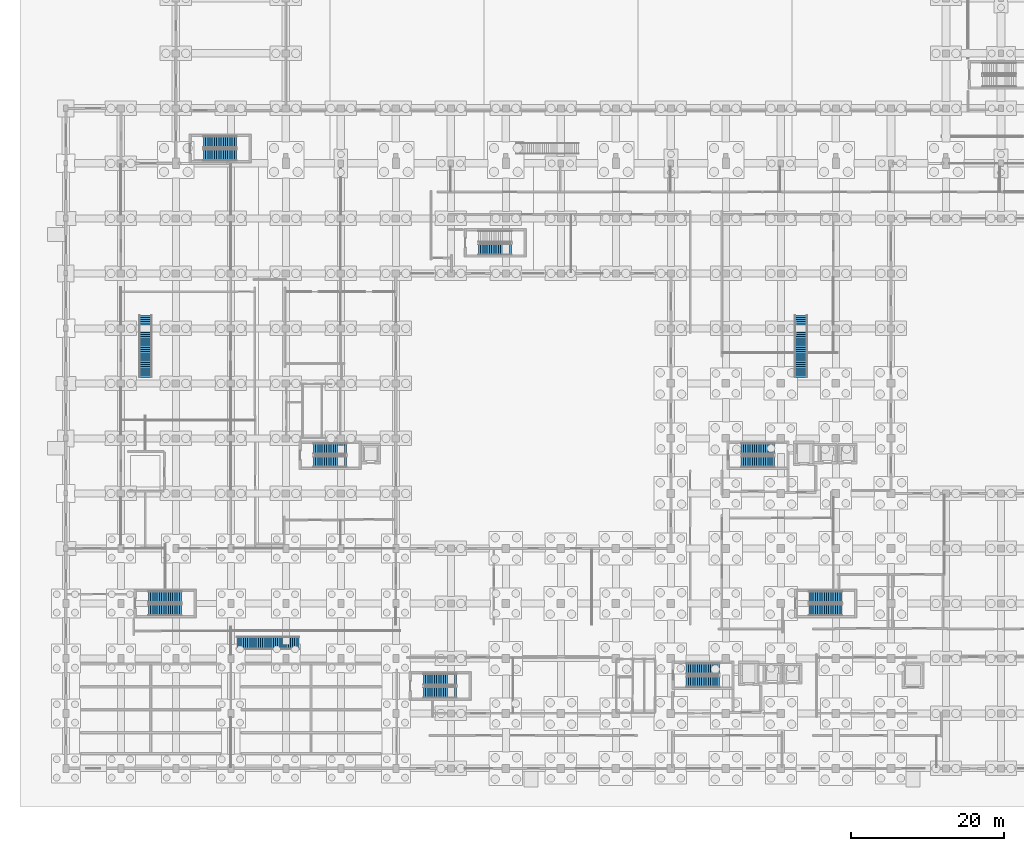
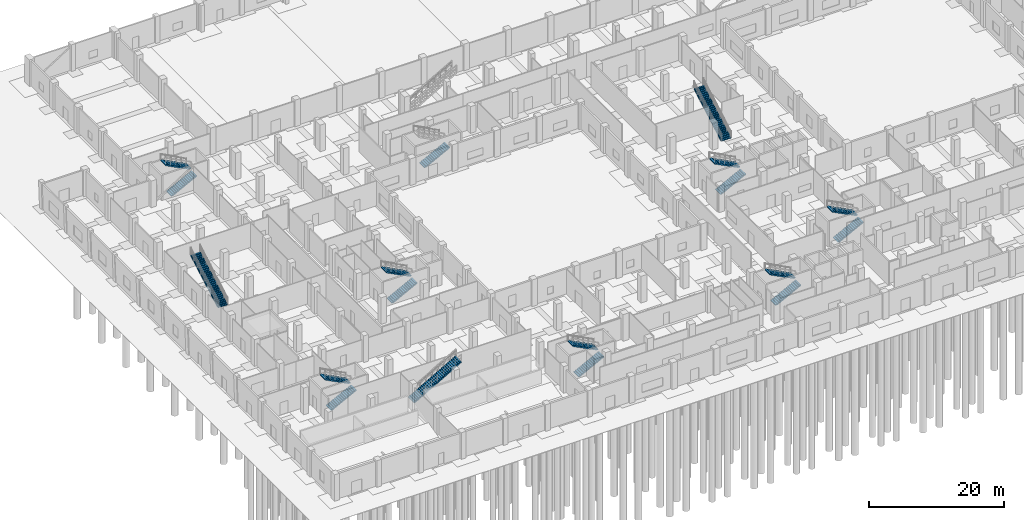
# One storey, part 36 of 48: 18 stair flights, 11 elements without a shape of their own.
"""IFC4 building model written with IfcOpenShell, lengths in metres."""

from ifc_helpers import new_model, si_unit, direction, frame, origin, place, context, subcontext, project, spatial, polyline, outline, extrude, material, type_object, element, aggregate, save


model = new_model("IFC4")

# Units and contexts
model_context = context("Model", 3, precision=1e-05, world=origin(), true_north=direction((0.0, 1.0)))
body_context = subcontext(model_context, "Body", "Model", "MODEL_VIEW")
ifc_project = project(units=[si_unit("LENGTHUNIT", "METRE"), si_unit("AREAUNIT", "SQUARE_METRE"), si_unit("VOLUMEUNIT", "CUBIC_METRE"), si_unit("PLANEANGLEUNIT", "RADIAN"), si_unit("MASSUNIT", "GRAM", prefix="KILO")], contexts=[model_context])

# Site, building, storey
site_placement = place(None, origin())
site = spatial("IfcSite", under=ifc_project, at=site_placement, CompositionType="ELEMENT")
building_placement = place(site_placement, origin())
building = spatial("IfcBuilding", under=site, at=building_placement, Name="Seraya Terrace Polytechnic", CompositionType="ELEMENT")
storey_placement = place(building_placement, origin())
storey = spatial("IfcBuildingStorey", under=building, at=storey_placement, Name="L00", CompositionType="ELEMENT", Elevation=0.0)

# Stair, stair flights
ifc_material = material(Name="Concrete C40/50", Category="concrete")
stair_type_1 = type_object("IfcStairType", Name="ST-T1", PredefinedType="HALF_TURN_STAIR", material=ifc_material)
stair_1_placement = place(storey_placement, origin())
stair_1 = element("IfcStair", 1, at=stair_1_placement, inside=storey, type_object=stair_type_1, Name="L00 Protected exit stair ST-01", PredefinedType="HALF_TURN_STAIR")
stair_flight_type_1 = type_object("IfcStairFlightType", Name="SF-01", PredefinedType="STRAIGHT", material=ifc_material)
stair_flight_1_placement = place(storey_placement, frame((81.199951171875, 11.35009765625, 0.0), z_axis=(0.0, 0.0, 1.0), x_axis=(1.0, 0.0, 0.0)))
stair_flight_1 = element("IfcStairFlight", 2, at=stair_flight_1_placement, type_object=stair_flight_type_1, Name="ST-01 flight 1", NumberOfRisers=16, NumberOfTreads=15, PredefinedType="STRAIGHT", RiserHeight=0.15, TreadLength=0.29, context=body_context, shape_type="SweptSolid", body=[
    extrude(outline(polyline([(0.0, 0.0), (0.0, 0.14990234375), (0.2900390625, 0.14990234375), (0.2900390625, 0.300048828125), (0.580078125, 0.300048828125), (0.580078125, 0.449951171875), (0.8701171875, 0.449951171875), (0.8701171875, 0.60009765625), (1.159912109375, 0.60009765625), (1.159912109375, 0.75), (1.449951171875, 0.75), (1.449951171875, 0.89990234375), (1.739990234375, 0.89990234375), (1.739990234375, 1.050048828125), (2.030029296875, 1.050048828125), (2.030029296875, 1.199951171875), (2.320068359375, 1.199951171875), (2.320068359375, 1.35009765625), (2.610107421875, 1.35009765625), (2.610107421875, 1.5), (2.89990234375, 1.5), (2.89990234375, 1.64990234375), (3.18994140625, 1.64990234375), (3.18994140625, 1.800048828125), (3.47998046875, 1.800048828125), (3.47998046875, 1.949951171875), (3.77001953125, 1.949951171875), (3.77001953125, 2.10009765625), (4.06005859375, 2.10009765625), (4.06005859375, 2.25), (4.35009765625, 2.25), (4.35009765625, 2.39990234375), (4.35009765625, 2.070068359375), (0.34814453125, 0.0), (0.0, 0.0)])), frame((0.0, 0.75, 0.0), z_axis=(0.0, -1.0, 0.0), x_axis=(1.0, 0.0, 0.0)), (0.0, 0.0, 1.0), 1.5),
])
stair_flight_2_placement = place(storey_placement, frame((85.550048828125, 13.050048828125, 2.39990234375), z_axis=(0.0, 0.0, 1.0), x_axis=(-1.0, 0.0, 0.0)))
stair_flight_2 = element("IfcStairFlight", 3, at=stair_flight_2_placement, type_object=stair_flight_type_1, Name="ST-01 flight 2", NumberOfRisers=16, NumberOfTreads=15, PredefinedType="STRAIGHT", RiserHeight=0.15, TreadLength=0.29, context=body_context, shape_type="SweptSolid", body=[
    extrude(outline(polyline([(0.0, 0.0), (0.0, 0.14990234375), (0.2900390625, 0.14990234375), (0.2900390625, 0.300048828125), (0.580078125, 0.300048828125), (0.580078125, 0.449951171875), (0.8701171875, 0.449951171875), (0.8701171875, 0.60009765625), (1.159912109375, 0.60009765625), (1.159912109375, 0.75), (1.449951171875, 0.75), (1.449951171875, 0.89990234375), (1.739990234375, 0.89990234375), (1.739990234375, 1.050048828125), (2.030029296875, 1.050048828125), (2.030029296875, 1.199951171875), (2.320068359375, 1.199951171875), (2.320068359375, 1.35009765625), (2.610107421875, 1.35009765625), (2.610107421875, 1.5), (2.89990234375, 1.5), (2.89990234375, 1.64990234375), (3.18994140625, 1.64990234375), (3.18994140625, 1.800048828125), (3.47998046875, 1.800048828125), (3.47998046875, 1.949951171875), (3.77001953125, 1.949951171875), (3.77001953125, 2.10009765625), (4.06005859375, 2.10009765625), (4.06005859375, 2.25), (4.35009765625, 2.25), (4.35009765625, 2.39990234375), (4.35009765625, 2.070068359375), (0.34814453125, 0.0), (0.0, 0.0)])), frame((0.0, 0.75, 0.0), z_axis=(0.0, -1.0, 0.0), x_axis=(1.0, 0.0, 0.0)), (0.0, 0.0, 1.0), 1.5),
])
aggregate(stair_1, [stair_flight_1, stair_flight_2])

stair_2_placement = place(storey_placement, origin())
stair_2 = element("IfcStair", 4, at=stair_2_placement, inside=storey, type_object=stair_type_1, Name="L00 Protected exit stair ST-02", PredefinedType="HALF_TURN_STAIR")
stair_flight_3_placement = place(storey_placement, frame((88.39990234375, 40.14990234375, 0.0), z_axis=(0.0, 0.0, 1.0), x_axis=(1.0, 0.0, 0.0)))
stair_flight_3 = element("IfcStairFlight", 5, at=stair_flight_3_placement, type_object=stair_flight_type_1, Name="ST-02 flight 1", NumberOfRisers=16, NumberOfTreads=15, PredefinedType="STRAIGHT", RiserHeight=0.15, TreadLength=0.29, context=body_context, shape_type="SweptSolid", body=[
    extrude(outline(polyline([(0.0, 0.0), (0.0, 0.14990234375), (0.2900390625, 0.14990234375), (0.2900390625, 0.300048828125), (0.580078125, 0.300048828125), (0.580078125, 0.449951171875), (0.8701171875, 0.449951171875), (0.8701171875, 0.60009765625), (1.159912109375, 0.60009765625), (1.159912109375, 0.75), (1.449951171875, 0.75), (1.449951171875, 0.89990234375), (1.739990234375, 0.89990234375), (1.739990234375, 1.050048828125), (2.030029296875, 1.050048828125), (2.030029296875, 1.199951171875), (2.320068359375, 1.199951171875), (2.320068359375, 1.35009765625), (2.610107421875, 1.35009765625), (2.610107421875, 1.5), (2.89990234375, 1.5), (2.89990234375, 1.64990234375), (3.18994140625, 1.64990234375), (3.18994140625, 1.800048828125), (3.47998046875, 1.800048828125), (3.47998046875, 1.949951171875), (3.77001953125, 1.949951171875), (3.77001953125, 2.10009765625), (4.06005859375, 2.10009765625), (4.06005859375, 2.25), (4.35009765625, 2.25), (4.35009765625, 2.39990234375), (4.35009765625, 2.070068359375), (0.34814453125, 0.0), (0.0, 0.0)])), frame((0.0, 0.75, 0.0), z_axis=(0.0, -1.0, 0.0), x_axis=(1.0, 0.0, 0.0)), (0.0, 0.0, 1.0), 1.5),
])
stair_flight_4_placement = place(storey_placement, frame((92.75, 41.85009765625, 2.39990234375), z_axis=(0.0, 0.0, 1.0), x_axis=(-1.0, 0.0, 0.0)))
stair_flight_4 = element("IfcStairFlight", 6, at=stair_flight_4_placement, type_object=stair_flight_type_1, Name="ST-02 flight 2", NumberOfRisers=16, NumberOfTreads=15, PredefinedType="STRAIGHT", RiserHeight=0.15, TreadLength=0.29, context=body_context, shape_type="SweptSolid", body=[
    extrude(outline(polyline([(0.0, 0.0), (0.0, 0.14990234375), (0.2900390625, 0.14990234375), (0.2900390625, 0.300048828125), (0.580078125, 0.300048828125), (0.580078125, 0.449951171875), (0.8701171875, 0.449951171875), (0.8701171875, 0.60009765625), (1.159912109375, 0.60009765625), (1.159912109375, 0.75), (1.449951171875, 0.75), (1.449951171875, 0.89990234375), (1.739990234375, 0.89990234375), (1.739990234375, 1.050048828125), (2.030029296875, 1.050048828125), (2.030029296875, 1.199951171875), (2.320068359375, 1.199951171875), (2.320068359375, 1.35009765625), (2.610107421875, 1.35009765625), (2.610107421875, 1.5), (2.89990234375, 1.5), (2.89990234375, 1.64990234375), (3.18994140625, 1.64990234375), (3.18994140625, 1.800048828125), (3.47998046875, 1.800048828125), (3.47998046875, 1.949951171875), (3.77001953125, 1.949951171875), (3.77001953125, 2.10009765625), (4.06005859375, 2.10009765625), (4.06005859375, 2.25), (4.35009765625, 2.25), (4.35009765625, 2.39990234375), (4.35009765625, 2.070068359375), (0.34814453125, 0.0), (0.0, 0.0)])), frame((0.0, 0.75, 0.0), z_axis=(0.0, -1.0, 0.0), x_axis=(1.0, 0.0, 0.0)), (0.0, 0.0, 1.0), 1.5),
])
aggregate(stair_2, [stair_flight_3, stair_flight_4])

stair_3_placement = place(storey_placement, origin())
stair_3 = element("IfcStair", 7, at=stair_3_placement, inside=storey, type_object=stair_type_1, Name="L00 Protected exit stair ST-03", PredefinedType="HALF_TURN_STAIR")
stair_flight_5_placement = place(storey_placement, frame((46.800048828125, 9.949951171875, 0.0), z_axis=(0.0, 0.0, 1.0), x_axis=(1.0, 0.0, 0.0)))
stair_flight_5 = element("IfcStairFlight", 8, at=stair_flight_5_placement, type_object=stair_flight_type_1, Name="ST-03 flight 1", NumberOfRisers=16, NumberOfTreads=15, PredefinedType="STRAIGHT", RiserHeight=0.15, TreadLength=0.29, context=body_context, shape_type="SweptSolid", body=[
    extrude(outline(polyline([(0.0, 0.0), (0.0, 0.14990234375), (0.2900390625, 0.14990234375), (0.2900390625, 0.300048828125), (0.580078125, 0.300048828125), (0.580078125, 0.449951171875), (0.8701171875, 0.449951171875), (0.8701171875, 0.60009765625), (1.159912109375, 0.60009765625), (1.159912109375, 0.75), (1.449951171875, 0.75), (1.449951171875, 0.89990234375), (1.739990234375, 0.89990234375), (1.739990234375, 1.050048828125), (2.030029296875, 1.050048828125), (2.030029296875, 1.199951171875), (2.320068359375, 1.199951171875), (2.320068359375, 1.35009765625), (2.610107421875, 1.35009765625), (2.610107421875, 1.5), (2.89990234375, 1.5), (2.89990234375, 1.64990234375), (3.18994140625, 1.64990234375), (3.18994140625, 1.800048828125), (3.47998046875, 1.800048828125), (3.47998046875, 1.949951171875), (3.77001953125, 1.949951171875), (3.77001953125, 2.10009765625), (4.06005859375, 2.10009765625), (4.06005859375, 2.25), (4.35009765625, 2.25), (4.35009765625, 2.39990234375), (4.35009765625, 2.070068359375), (0.34814453125, 0.0), (0.0, 0.0)])), frame((0.0, 0.75, 0.0), z_axis=(0.0, -1.0, 0.0), x_axis=(1.0, 0.0, 0.0)), (0.0, 0.0, 1.0), 1.5),
])
stair_flight_6_placement = place(storey_placement, frame((51.14990234375, 11.64990234375, 2.39990234375), z_axis=(0.0, 0.0, 1.0), x_axis=(-1.0, 0.0, 0.0)))
stair_flight_6 = element("IfcStairFlight", 9, at=stair_flight_6_placement, type_object=stair_flight_type_1, Name="ST-03 flight 2", NumberOfRisers=16, NumberOfTreads=15, PredefinedType="STRAIGHT", RiserHeight=0.15, TreadLength=0.29, context=body_context, shape_type="SweptSolid", body=[
    extrude(outline(polyline([(0.0, 0.0), (0.0, 0.14990234375), (0.2900390625, 0.14990234375), (0.2900390625, 0.300048828125), (0.580078125, 0.300048828125), (0.580078125, 0.449951171875), (0.8701171875, 0.449951171875), (0.8701171875, 0.60009765625), (1.159912109375, 0.60009765625), (1.159912109375, 0.75), (1.449951171875, 0.75), (1.449951171875, 0.89990234375), (1.739990234375, 0.89990234375), (1.739990234375, 1.050048828125), (2.030029296875, 1.050048828125), (2.030029296875, 1.199951171875), (2.320068359375, 1.199951171875), (2.320068359375, 1.35009765625), (2.610107421875, 1.35009765625), (2.610107421875, 1.5), (2.89990234375, 1.5), (2.89990234375, 1.64990234375), (3.18994140625, 1.64990234375), (3.18994140625, 1.800048828125), (3.47998046875, 1.800048828125), (3.47998046875, 1.949951171875), (3.77001953125, 1.949951171875), (3.77001953125, 2.10009765625), (4.06005859375, 2.10009765625), (4.06005859375, 2.25), (4.35009765625, 2.25), (4.35009765625, 2.39990234375), (4.35009765625, 2.070068359375), (0.34814453125, 0.0), (0.0, 0.0)])), frame((0.0, 0.75, 0.0), z_axis=(0.0, -1.0, 0.0), x_axis=(1.0, 0.0, 0.0)), (0.0, 0.0, 1.0), 1.5),
])
aggregate(stair_3, [stair_flight_5, stair_flight_6])

stair_4_placement = place(storey_placement, origin())
stair_4 = element("IfcStair", 10, at=stair_4_placement, inside=storey, type_object=stair_type_1, Name="L00 Protected exit stair ST-04", PredefinedType="HALF_TURN_STAIR")
stair_flight_7_placement = place(storey_placement, frame((32.39990234375, 40.14990234375, 0.0), z_axis=(0.0, 0.0, 1.0), x_axis=(1.0, 0.0, 0.0)))
stair_flight_7 = element("IfcStairFlight", 11, at=stair_flight_7_placement, type_object=stair_flight_type_1, Name="ST-04 flight 1", NumberOfRisers=16, NumberOfTreads=15, PredefinedType="STRAIGHT", RiserHeight=0.15, TreadLength=0.29, context=body_context, shape_type="SweptSolid", body=[
    extrude(outline(polyline([(0.0, 0.0), (0.0, 0.14990234375), (0.2900390625, 0.14990234375), (0.2900390625, 0.300048828125), (0.580078125, 0.300048828125), (0.580078125, 0.449951171875), (0.8701171875, 0.449951171875), (0.8701171875, 0.60009765625), (1.159912109375, 0.60009765625), (1.159912109375, 0.75), (1.449951171875, 0.75), (1.449951171875, 0.89990234375), (1.739990234375, 0.89990234375), (1.739990234375, 1.050048828125), (2.030029296875, 1.050048828125), (2.030029296875, 1.199951171875), (2.320068359375, 1.199951171875), (2.320068359375, 1.35009765625), (2.610107421875, 1.35009765625), (2.610107421875, 1.5), (2.89990234375, 1.5), (2.89990234375, 1.64990234375), (3.18994140625, 1.64990234375), (3.18994140625, 1.800048828125), (3.47998046875, 1.800048828125), (3.47998046875, 1.949951171875), (3.77001953125, 1.949951171875), (3.77001953125, 2.10009765625), (4.06005859375, 2.10009765625), (4.06005859375, 2.25), (4.35009765625, 2.25), (4.35009765625, 2.39990234375), (4.35009765625, 2.070068359375), (0.34814453125, 0.0), (0.0, 0.0)])), frame((0.0, 0.75, 0.0), z_axis=(0.0, -1.0, 0.0), x_axis=(1.0, 0.0, 0.0)), (0.0, 0.0, 1.0), 1.5),
])
stair_flight_8_placement = place(storey_placement, frame((36.75, 41.85009765625, 2.39990234375), z_axis=(0.0, 0.0, 1.0), x_axis=(-1.0, 0.0, 0.0)))
stair_flight_8 = element("IfcStairFlight", 12, at=stair_flight_8_placement, type_object=stair_flight_type_1, Name="ST-04 flight 2", NumberOfRisers=16, NumberOfTreads=15, PredefinedType="STRAIGHT", RiserHeight=0.15, TreadLength=0.29, context=body_context, shape_type="SweptSolid", body=[
    extrude(outline(polyline([(0.0, 0.0), (0.0, 0.14990234375), (0.2900390625, 0.14990234375), (0.2900390625, 0.300048828125), (0.580078125, 0.300048828125), (0.580078125, 0.449951171875), (0.8701171875, 0.449951171875), (0.8701171875, 0.60009765625), (1.159912109375, 0.60009765625), (1.159912109375, 0.75), (1.449951171875, 0.75), (1.449951171875, 0.89990234375), (1.739990234375, 0.89990234375), (1.739990234375, 1.050048828125), (2.030029296875, 1.050048828125), (2.030029296875, 1.199951171875), (2.320068359375, 1.199951171875), (2.320068359375, 1.35009765625), (2.610107421875, 1.35009765625), (2.610107421875, 1.5), (2.89990234375, 1.5), (2.89990234375, 1.64990234375), (3.18994140625, 1.64990234375), (3.18994140625, 1.800048828125), (3.47998046875, 1.800048828125), (3.47998046875, 1.949951171875), (3.77001953125, 1.949951171875), (3.77001953125, 2.10009765625), (4.06005859375, 2.10009765625), (4.06005859375, 2.25), (4.35009765625, 2.25), (4.35009765625, 2.39990234375), (4.35009765625, 2.070068359375), (0.34814453125, 0.0), (0.0, 0.0)])), frame((0.0, 0.75, 0.0), z_axis=(0.0, -1.0, 0.0), x_axis=(1.0, 0.0, 0.0)), (0.0, 0.0, 1.0), 1.5),
])
aggregate(stair_4, [stair_flight_7, stair_flight_8])

stair_5_placement = place(storey_placement, origin())
stair_5 = element("IfcStair", 13, at=stair_5_placement, inside=storey, type_object=stair_type_1, Name="L00 Protected exit stair ST-05", PredefinedType="HALF_TURN_STAIR")
stair_flight_9_placement = place(storey_placement, frame((97.25, 20.75, 0.0), z_axis=(0.0, 0.0, 1.0), x_axis=(1.0, 0.0, 0.0)))
stair_flight_9 = element("IfcStairFlight", 14, at=stair_flight_9_placement, type_object=stair_flight_type_1, Name="ST-05 flight 1", NumberOfRisers=16, NumberOfTreads=15, PredefinedType="STRAIGHT", RiserHeight=0.15, TreadLength=0.29, context=body_context, shape_type="SweptSolid", body=[
    extrude(outline(polyline([(0.0, 0.0), (0.0, 0.14990234375), (0.2900390625, 0.14990234375), (0.2900390625, 0.300048828125), (0.580078125, 0.300048828125), (0.580078125, 0.449951171875), (0.8701171875, 0.449951171875), (0.8701171875, 0.60009765625), (1.159912109375, 0.60009765625), (1.159912109375, 0.75), (1.449951171875, 0.75), (1.449951171875, 0.89990234375), (1.739990234375, 0.89990234375), (1.739990234375, 1.050048828125), (2.030029296875, 1.050048828125), (2.030029296875, 1.199951171875), (2.320068359375, 1.199951171875), (2.320068359375, 1.35009765625), (2.610107421875, 1.35009765625), (2.610107421875, 1.5), (2.89990234375, 1.5), (2.89990234375, 1.64990234375), (3.18994140625, 1.64990234375), (3.18994140625, 1.800048828125), (3.47998046875, 1.800048828125), (3.47998046875, 1.949951171875), (3.77001953125, 1.949951171875), (3.77001953125, 2.10009765625), (4.06005859375, 2.10009765625), (4.06005859375, 2.25), (4.35009765625, 2.25), (4.35009765625, 2.39990234375), (4.35009765625, 2.070068359375), (0.34814453125, 0.0), (0.0, 0.0)])), frame((0.0, 0.75, 0.0), z_axis=(0.0, -1.0, 0.0), x_axis=(1.0, 0.0, 0.0)), (0.0, 0.0, 1.0), 1.5),
])
stair_flight_10_placement = place(storey_placement, frame((101.60009765625, 22.449951171875, 2.39990234375), z_axis=(0.0, 0.0, 1.0), x_axis=(-1.0, 0.0, 0.0)))
stair_flight_10 = element("IfcStairFlight", 15, at=stair_flight_10_placement, type_object=stair_flight_type_1, Name="ST-05 flight 2", NumberOfRisers=16, NumberOfTreads=15, PredefinedType="STRAIGHT", RiserHeight=0.15, TreadLength=0.29, context=body_context, shape_type="SweptSolid", body=[
    extrude(outline(polyline([(0.0, 0.0), (0.0, 0.14990234375), (0.2900390625, 0.14990234375), (0.2900390625, 0.300048828125), (0.580078125, 0.300048828125), (0.580078125, 0.449951171875), (0.8701171875, 0.449951171875), (0.8701171875, 0.60009765625), (1.159912109375, 0.60009765625), (1.159912109375, 0.75), (1.449951171875, 0.75), (1.449951171875, 0.89990234375), (1.739990234375, 0.89990234375), (1.739990234375, 1.050048828125), (2.030029296875, 1.050048828125), (2.030029296875, 1.199951171875), (2.320068359375, 1.199951171875), (2.320068359375, 1.35009765625), (2.610107421875, 1.35009765625), (2.610107421875, 1.5), (2.89990234375, 1.5), (2.89990234375, 1.64990234375), (3.18994140625, 1.64990234375), (3.18994140625, 1.800048828125), (3.47998046875, 1.800048828125), (3.47998046875, 1.949951171875), (3.77001953125, 1.949951171875), (3.77001953125, 2.10009765625), (4.06005859375, 2.10009765625), (4.06005859375, 2.25), (4.35009765625, 2.25), (4.35009765625, 2.39990234375), (4.35009765625, 2.070068359375), (0.34814453125, 0.0), (0.0, 0.0)])), frame((0.0, 0.75, 0.0), z_axis=(0.0, -1.0, 0.0), x_axis=(1.0, 0.0, 0.0)), (0.0, 0.0, 1.0), 1.5),
])
aggregate(stair_5, [stair_flight_9, stair_flight_10])

# Stair, stair flight
stair_6_placement = place(storey_placement, origin())
stair_6 = element("IfcStair", 16, at=stair_6_placement, inside=storey, type_object=stair_type_1, Name="L00 Protected exit stair ST-06", PredefinedType="HALF_TURN_STAIR")
stair_flight_11_placement = place(storey_placement, frame((54.0, 67.949951171875, 0.0), z_axis=(0.0, 0.0, 1.0), x_axis=(1.0, 0.0, 0.0)))
stair_flight_11 = element("IfcStairFlight", 17, at=stair_flight_11_placement, type_object=stair_flight_type_1, Name="ST-06 flight 1", NumberOfRisers=16, NumberOfTreads=15, PredefinedType="STRAIGHT", RiserHeight=0.15, TreadLength=0.29, context=body_context, shape_type="SweptSolid", body=[
    extrude(outline(polyline([(0.0, 0.0), (0.0, 0.14990234375), (0.2900390625, 0.14990234375), (0.2900390625, 0.300048828125), (0.580078125, 0.300048828125), (0.580078125, 0.449951171875), (0.8701171875, 0.449951171875), (0.8701171875, 0.60009765625), (1.159912109375, 0.60009765625), (1.159912109375, 0.75), (1.449951171875, 0.75), (1.449951171875, 0.89990234375), (1.739990234375, 0.89990234375), (1.739990234375, 1.050048828125), (2.030029296875, 1.050048828125), (2.030029296875, 1.199951171875), (2.320068359375, 1.199951171875), (2.320068359375, 1.35009765625), (2.610107421875, 1.35009765625), (2.610107421875, 1.5), (2.89990234375, 1.5), (2.89990234375, 1.64990234375), (3.18994140625, 1.64990234375), (3.18994140625, 1.800048828125), (3.47998046875, 1.800048828125), (3.47998046875, 1.949951171875), (3.77001953125, 1.949951171875), (3.77001953125, 2.10009765625), (4.06005859375, 2.10009765625), (4.06005859375, 2.25), (4.35009765625, 2.25), (4.35009765625, 2.39990234375), (4.35009765625, 2.070068359375), (0.34814453125, 0.0), (0.0, 0.0)])), frame((0.0, 0.75, 0.0), z_axis=(0.0, -1.0, 0.0), x_axis=(1.0, 0.0, 0.0)), (0.0, 0.0, 1.0), 1.5),
])
aggregate(stair_6, [stair_flight_11])

# Stair, stair flights
stair_7_placement = place(storey_placement, origin())
stair_7 = element("IfcStair", 18, at=stair_7_placement, inside=storey, type_object=stair_type_1, Name="L00 Protected exit stair ST-07", PredefinedType="HALF_TURN_STAIR")
stair_flight_12_placement = place(storey_placement, frame((18.0, 80.300048828125, 0.0), z_axis=(0.0, 0.0, 1.0), x_axis=(1.0, 0.0, 0.0)))
stair_flight_12 = element("IfcStairFlight", 19, at=stair_flight_12_placement, type_object=stair_flight_type_1, Name="ST-07 flight 1", NumberOfRisers=16, NumberOfTreads=15, PredefinedType="STRAIGHT", RiserHeight=0.15, TreadLength=0.29, context=body_context, shape_type="SweptSolid", body=[
    extrude(outline(polyline([(0.0, 0.0), (0.0, 0.14990234375), (0.2900390625, 0.14990234375), (0.2900390625, 0.300048828125), (0.580078125, 0.300048828125), (0.580078125, 0.449951171875), (0.8701171875, 0.449951171875), (0.8701171875, 0.60009765625), (1.159912109375, 0.60009765625), (1.159912109375, 0.75), (1.449951171875, 0.75), (1.449951171875, 0.89990234375), (1.739990234375, 0.89990234375), (1.739990234375, 1.050048828125), (2.030029296875, 1.050048828125), (2.030029296875, 1.199951171875), (2.320068359375, 1.199951171875), (2.320068359375, 1.35009765625), (2.610107421875, 1.35009765625), (2.610107421875, 1.5), (2.89990234375, 1.5), (2.89990234375, 1.64990234375), (3.18994140625, 1.64990234375), (3.18994140625, 1.800048828125), (3.47998046875, 1.800048828125), (3.47998046875, 1.949951171875), (3.77001953125, 1.949951171875), (3.77001953125, 2.10009765625), (4.06005859375, 2.10009765625), (4.06005859375, 2.25), (4.35009765625, 2.25), (4.35009765625, 2.39990234375), (4.35009765625, 2.070068359375), (0.34814453125, 0.0), (0.0, 0.0)])), frame((0.0, 0.75, 0.0), z_axis=(0.0, -1.0, 0.0), x_axis=(1.0, 0.0, 0.0)), (0.0, 0.0, 1.0), 1.5),
])
stair_flight_13_placement = place(storey_placement, frame((22.35009765625, 82.0, 2.39990234375), z_axis=(0.0, 0.0, 1.0), x_axis=(-1.0, 0.0, 0.0)))
stair_flight_13 = element("IfcStairFlight", 20, at=stair_flight_13_placement, type_object=stair_flight_type_1, Name="ST-07 flight 2", NumberOfRisers=16, NumberOfTreads=15, PredefinedType="STRAIGHT", RiserHeight=0.15, TreadLength=0.29, context=body_context, shape_type="SweptSolid", body=[
    extrude(outline(polyline([(0.0, 0.0), (0.0, 0.14990234375), (0.2900390625, 0.14990234375), (0.2900390625, 0.300048828125), (0.580078125, 0.300048828125), (0.580078125, 0.449951171875), (0.8701171875, 0.449951171875), (0.8701171875, 0.60009765625), (1.159912109375, 0.60009765625), (1.159912109375, 0.75), (1.449951171875, 0.75), (1.449951171875, 0.89990234375), (1.739990234375, 0.89990234375), (1.739990234375, 1.050048828125), (2.030029296875, 1.050048828125), (2.030029296875, 1.199951171875), (2.320068359375, 1.199951171875), (2.320068359375, 1.35009765625), (2.610107421875, 1.35009765625), (2.610107421875, 1.5), (2.89990234375, 1.5), (2.89990234375, 1.64990234375), (3.18994140625, 1.64990234375), (3.18994140625, 1.800048828125), (3.47998046875, 1.800048828125), (3.47998046875, 1.949951171875), (3.77001953125, 1.949951171875), (3.77001953125, 2.10009765625), (4.06005859375, 2.10009765625), (4.06005859375, 2.25), (4.35009765625, 2.25), (4.35009765625, 2.39990234375), (4.35009765625, 2.070068359375), (0.34814453125, 0.0), (0.0, 0.0)])), frame((0.0, 0.75, 0.0), z_axis=(0.0, -1.0, 0.0), x_axis=(1.0, 0.0, 0.0)), (0.0, 0.0, 1.0), 1.5),
])
aggregate(stair_7, [stair_flight_12, stair_flight_13])

stair_8_placement = place(storey_placement, origin())
stair_8 = element("IfcStair", 21, at=stair_8_placement, inside=storey, type_object=stair_type_1, Name="L00 Protected exit stair ST-09", PredefinedType="HALF_TURN_STAIR")
stair_flight_14_placement = place(storey_placement, frame((10.800048828125, 20.75, 0.0), z_axis=(0.0, 0.0, 1.0), x_axis=(1.0, 0.0, 0.0)))
stair_flight_14 = element("IfcStairFlight", 22, at=stair_flight_14_placement, type_object=stair_flight_type_1, Name="ST-09 flight 1", NumberOfRisers=16, NumberOfTreads=15, PredefinedType="STRAIGHT", RiserHeight=0.15, TreadLength=0.29, context=body_context, shape_type="SweptSolid", body=[
    extrude(outline(polyline([(0.0, 0.0), (0.0, 0.14990234375), (0.2900390625, 0.14990234375), (0.2900390625, 0.300048828125), (0.580078125, 0.300048828125), (0.580078125, 0.449951171875), (0.8701171875, 0.449951171875), (0.8701171875, 0.60009765625), (1.159912109375, 0.60009765625), (1.159912109375, 0.75), (1.449951171875, 0.75), (1.449951171875, 0.89990234375), (1.739990234375, 0.89990234375), (1.739990234375, 1.050048828125), (2.030029296875, 1.050048828125), (2.030029296875, 1.199951171875), (2.320068359375, 1.199951171875), (2.320068359375, 1.35009765625), (2.610107421875, 1.35009765625), (2.610107421875, 1.5), (2.89990234375, 1.5), (2.89990234375, 1.64990234375), (3.18994140625, 1.64990234375), (3.18994140625, 1.800048828125), (3.47998046875, 1.800048828125), (3.47998046875, 1.949951171875), (3.77001953125, 1.949951171875), (3.77001953125, 2.10009765625), (4.06005859375, 2.10009765625), (4.06005859375, 2.25), (4.35009765625, 2.25), (4.35009765625, 2.39990234375), (4.35009765625, 2.070068359375), (0.34814453125, 0.0), (0.0, 0.0)])), frame((0.0, 0.75, 0.0), z_axis=(0.0, -1.0, 0.0), x_axis=(1.0, 0.0, 0.0)), (0.0, 0.0, 1.0), 1.5),
])
stair_flight_15_placement = place(storey_placement, frame((15.14990234375, 22.449951171875, 2.39990234375), z_axis=(0.0, 0.0, 1.0), x_axis=(-1.0, 0.0, 0.0)))
stair_flight_15 = element("IfcStairFlight", 23, at=stair_flight_15_placement, type_object=stair_flight_type_1, Name="ST-09 flight 2", NumberOfRisers=16, NumberOfTreads=15, PredefinedType="STRAIGHT", RiserHeight=0.15, TreadLength=0.29, context=body_context, shape_type="SweptSolid", body=[
    extrude(outline(polyline([(0.0, 0.0), (0.0, 0.14990234375), (0.2900390625, 0.14990234375), (0.2900390625, 0.300048828125), (0.580078125, 0.300048828125), (0.580078125, 0.449951171875), (0.8701171875, 0.449951171875), (0.8701171875, 0.60009765625), (1.159912109375, 0.60009765625), (1.159912109375, 0.75), (1.449951171875, 0.75), (1.449951171875, 0.89990234375), (1.739990234375, 0.89990234375), (1.739990234375, 1.050048828125), (2.030029296875, 1.050048828125), (2.030029296875, 1.199951171875), (2.320068359375, 1.199951171875), (2.320068359375, 1.35009765625), (2.610107421875, 1.35009765625), (2.610107421875, 1.5), (2.89990234375, 1.5), (2.89990234375, 1.64990234375), (3.18994140625, 1.64990234375), (3.18994140625, 1.800048828125), (3.47998046875, 1.800048828125), (3.47998046875, 1.949951171875), (3.77001953125, 1.949951171875), (3.77001953125, 2.10009765625), (4.06005859375, 2.10009765625), (4.06005859375, 2.25), (4.35009765625, 2.25), (4.35009765625, 2.39990234375), (4.35009765625, 2.070068359375), (0.34814453125, 0.0), (0.0, 0.0)])), frame((0.0, 0.75, 0.0), z_axis=(0.0, -1.0, 0.0), x_axis=(1.0, 0.0, 0.0)), (0.0, 0.0, 1.0), 1.5),
])
aggregate(stair_8, [stair_flight_14, stair_flight_15])

# Stair, stair flight
stair_type_2 = type_object("IfcStairType", Name="ST-T4", PredefinedType="STRAIGHT_RUN_STAIR", material=ifc_material)
stair_9_placement = place(storey_placement, origin())
stair_9 = element("IfcStair", 24, at=stair_9_placement, inside=storey, type_object=stair_type_2, Name="Architectural straight stair ST-12 L00", PredefinedType="STRAIGHT_RUN_STAIR")
stair_flight_type_2 = type_object("IfcStairFlightType", Name="SF-04", PredefinedType="STRAIGHT", material=ifc_material)
stair_flight_16_placement = place(storey_placement, frame((10.43994140625, 51.199951171875, 0.0), z_axis=(0.0, 0.0, 1.0), x_axis=(0.0, 1.0, 0.0)))
stair_flight_16 = element("IfcStairFlight", 25, at=stair_flight_16_placement, type_object=stair_flight_type_2, Name="ST-12 flight 1", NumberOfRisers=30, NumberOfTreads=29, PredefinedType="STRAIGHT", RiserHeight=0.16, TreadLength=0.28, context=body_context, shape_type="SweptSolid", body=[
    extrude(outline(polyline([(0.0, 0.0), (0.0, 0.159912109375), (0.280029296875, 0.159912109375), (0.280029296875, 0.320068359375), (0.56005859375, 0.320068359375), (0.56005859375, 0.47998046875), (0.840087890625, 0.47998046875), (0.840087890625, 0.639892578125), (1.1201171875, 0.639892578125), (1.1201171875, 0.800048828125), (1.39990234375, 0.800048828125), (1.39990234375, 0.9599609375), (1.679931640625, 0.9599609375), (1.679931640625, 1.1201171875), (1.9599609375, 1.1201171875), (1.9599609375, 1.280029296875), (2.239990234375, 1.280029296875), (2.239990234375, 1.43994140625), (2.52001953125, 1.43994140625), (2.52001953125, 1.60009765625), (2.800048828125, 1.60009765625), (2.800048828125, 1.760009765625), (3.080078125, 1.760009765625), (3.080078125, 1.919921875), (3.360107421875, 1.919921875), (3.360107421875, 2.080078125), (3.639892578125, 2.080078125), (3.639892578125, 2.239990234375), (3.919921875, 2.239990234375), (3.919921875, 2.39990234375), (4.199951171875, 2.39990234375), (4.199951171875, 2.56005859375), (4.47998046875, 2.56005859375), (4.47998046875, 2.719970703125), (4.760009765625, 2.719970703125), (4.760009765625, 2.8798828125), (5.0400390625, 2.8798828125), (5.0400390625, 3.0400390625), (5.320068359375, 3.0400390625), (5.320068359375, 3.199951171875), (5.60009765625, 3.199951171875), (5.60009765625, 3.360107421875), (5.8798828125, 3.360107421875), (5.8798828125, 3.52001953125), (6.159912109375, 3.52001953125), (6.159912109375, 3.679931640625), (6.43994140625, 3.679931640625), (6.43994140625, 3.840087890625), (6.719970703125, 3.840087890625), (6.719970703125, 4.0), (7.0, 4.0), (7.0, 4.159912109375), (7.280029296875, 4.159912109375), (7.280029296875, 4.320068359375), (7.56005859375, 4.320068359375), (7.56005859375, 4.47998046875), (7.840087890625, 4.47998046875), (7.840087890625, 4.639892578125), (8.1201171875, 4.639892578125), (8.1201171875, 4.800048828125), (8.1201171875, 4.432861328125), (0.362548828125, 0.0), (0.0, 0.0)])), frame((0.0, 0.83984375, 0.0), z_axis=(0.0, -1.0, 0.0), x_axis=(1.0, 0.0, 0.0)), (0.0, 0.0, 1.0), 1.679931640625),
])
aggregate(stair_9, [stair_flight_16])

stair_10_placement = place(storey_placement, origin())
stair_10 = element("IfcStair", 26, at=stair_10_placement, inside=storey, type_object=stair_type_2, Name="Architectural straight stair ST-15 L00", PredefinedType="STRAIGHT_RUN_STAIR")
stair_flight_17_placement = place(storey_placement, frame((22.39990234375, 16.43994140625, 0.0), z_axis=(0.0, 0.0, 1.0), x_axis=(1.0, 0.0, 0.0)))
stair_flight_17 = element("IfcStairFlight", 27, at=stair_flight_17_placement, type_object=stair_flight_type_2, Name="ST-15 flight 1", NumberOfRisers=30, NumberOfTreads=29, PredefinedType="STRAIGHT", RiserHeight=0.16, TreadLength=0.28, context=body_context, shape_type="SweptSolid", body=[
    extrude(outline(polyline([(0.0, 0.0), (0.0, 0.159912109375), (0.280029296875, 0.159912109375), (0.280029296875, 0.320068359375), (0.56005859375, 0.320068359375), (0.56005859375, 0.47998046875), (0.840087890625, 0.47998046875), (0.840087890625, 0.639892578125), (1.1201171875, 0.639892578125), (1.1201171875, 0.800048828125), (1.39990234375, 0.800048828125), (1.39990234375, 0.9599609375), (1.679931640625, 0.9599609375), (1.679931640625, 1.1201171875), (1.9599609375, 1.1201171875), (1.9599609375, 1.280029296875), (2.239990234375, 1.280029296875), (2.239990234375, 1.43994140625), (2.52001953125, 1.43994140625), (2.52001953125, 1.60009765625), (2.800048828125, 1.60009765625), (2.800048828125, 1.760009765625), (3.080078125, 1.760009765625), (3.080078125, 1.919921875), (3.360107421875, 1.919921875), (3.360107421875, 2.080078125), (3.639892578125, 2.080078125), (3.639892578125, 2.239990234375), (3.919921875, 2.239990234375), (3.919921875, 2.39990234375), (4.199951171875, 2.39990234375), (4.199951171875, 2.56005859375), (4.47998046875, 2.56005859375), (4.47998046875, 2.719970703125), (4.760009765625, 2.719970703125), (4.760009765625, 2.8798828125), (5.0400390625, 2.8798828125), (5.0400390625, 3.0400390625), (5.320068359375, 3.0400390625), (5.320068359375, 3.199951171875), (5.60009765625, 3.199951171875), (5.60009765625, 3.360107421875), (5.8798828125, 3.360107421875), (5.8798828125, 3.52001953125), (6.159912109375, 3.52001953125), (6.159912109375, 3.679931640625), (6.43994140625, 3.679931640625), (6.43994140625, 3.840087890625), (6.719970703125, 3.840087890625), (6.719970703125, 4.0), (7.0, 4.0), (7.0, 4.159912109375), (7.280029296875, 4.159912109375), (7.280029296875, 4.320068359375), (7.56005859375, 4.320068359375), (7.56005859375, 4.47998046875), (7.840087890625, 4.47998046875), (7.840087890625, 4.639892578125), (8.1201171875, 4.639892578125), (8.1201171875, 4.800048828125), (8.1201171875, 4.432861328125), (0.362548828125, 0.0), (0.0, 0.0)])), frame((0.0, 0.83984375, 0.0), z_axis=(0.0, -1.0, 0.0), x_axis=(1.0, 0.0, 0.0)), (0.0, 0.0, 1.0), 1.679931640625),
])
aggregate(stair_10, [stair_flight_17])

stair_11_placement = place(storey_placement, origin())
stair_11 = element("IfcStair", 28, at=stair_11_placement, inside=storey, type_object=stair_type_2, Name="Architectural straight stair ST-16 L00", PredefinedType="STRAIGHT_RUN_STAIR")
stair_flight_18_placement = place(storey_placement, frame((96.239990234375, 51.199951171875, 0.0), z_axis=(0.0, 0.0, 1.0), x_axis=(0.0, 1.0, 0.0)))
stair_flight_18 = element("IfcStairFlight", 29, at=stair_flight_18_placement, type_object=stair_flight_type_2, Name="ST-16 flight 1", NumberOfRisers=30, NumberOfTreads=29, PredefinedType="STRAIGHT", RiserHeight=0.16, TreadLength=0.28, context=body_context, shape_type="SweptSolid", body=[
    extrude(outline(polyline([(0.0, 0.0), (0.0, 0.159912109375), (0.280029296875, 0.159912109375), (0.280029296875, 0.320068359375), (0.56005859375, 0.320068359375), (0.56005859375, 0.47998046875), (0.840087890625, 0.47998046875), (0.840087890625, 0.639892578125), (1.1201171875, 0.639892578125), (1.1201171875, 0.800048828125), (1.39990234375, 0.800048828125), (1.39990234375, 0.9599609375), (1.679931640625, 0.9599609375), (1.679931640625, 1.1201171875), (1.9599609375, 1.1201171875), (1.9599609375, 1.280029296875), (2.239990234375, 1.280029296875), (2.239990234375, 1.43994140625), (2.52001953125, 1.43994140625), (2.52001953125, 1.60009765625), (2.800048828125, 1.60009765625), (2.800048828125, 1.760009765625), (3.080078125, 1.760009765625), (3.080078125, 1.919921875), (3.360107421875, 1.919921875), (3.360107421875, 2.080078125), (3.639892578125, 2.080078125), (3.639892578125, 2.239990234375), (3.919921875, 2.239990234375), (3.919921875, 2.39990234375), (4.199951171875, 2.39990234375), (4.199951171875, 2.56005859375), (4.47998046875, 2.56005859375), (4.47998046875, 2.719970703125), (4.760009765625, 2.719970703125), (4.760009765625, 2.8798828125), (5.0400390625, 2.8798828125), (5.0400390625, 3.0400390625), (5.320068359375, 3.0400390625), (5.320068359375, 3.199951171875), (5.60009765625, 3.199951171875), (5.60009765625, 3.360107421875), (5.8798828125, 3.360107421875), (5.8798828125, 3.52001953125), (6.159912109375, 3.52001953125), (6.159912109375, 3.679931640625), (6.43994140625, 3.679931640625), (6.43994140625, 3.840087890625), (6.719970703125, 3.840087890625), (6.719970703125, 4.0), (7.0, 4.0), (7.0, 4.159912109375), (7.280029296875, 4.159912109375), (7.280029296875, 4.320068359375), (7.56005859375, 4.320068359375), (7.56005859375, 4.47998046875), (7.840087890625, 4.47998046875), (7.840087890625, 4.639892578125), (8.1201171875, 4.639892578125), (8.1201171875, 4.800048828125), (8.1201171875, 4.432861328125), (0.362548828125, 0.0), (0.0, 0.0)])), frame((0.0, 0.83984375, 0.0), z_axis=(0.0, -1.0, 0.0), x_axis=(1.0, 0.0, 0.0)), (0.0, 0.0, 1.0), 1.679931640625),
])
aggregate(stair_11, [stair_flight_18])

save(model, "model.ifc")
